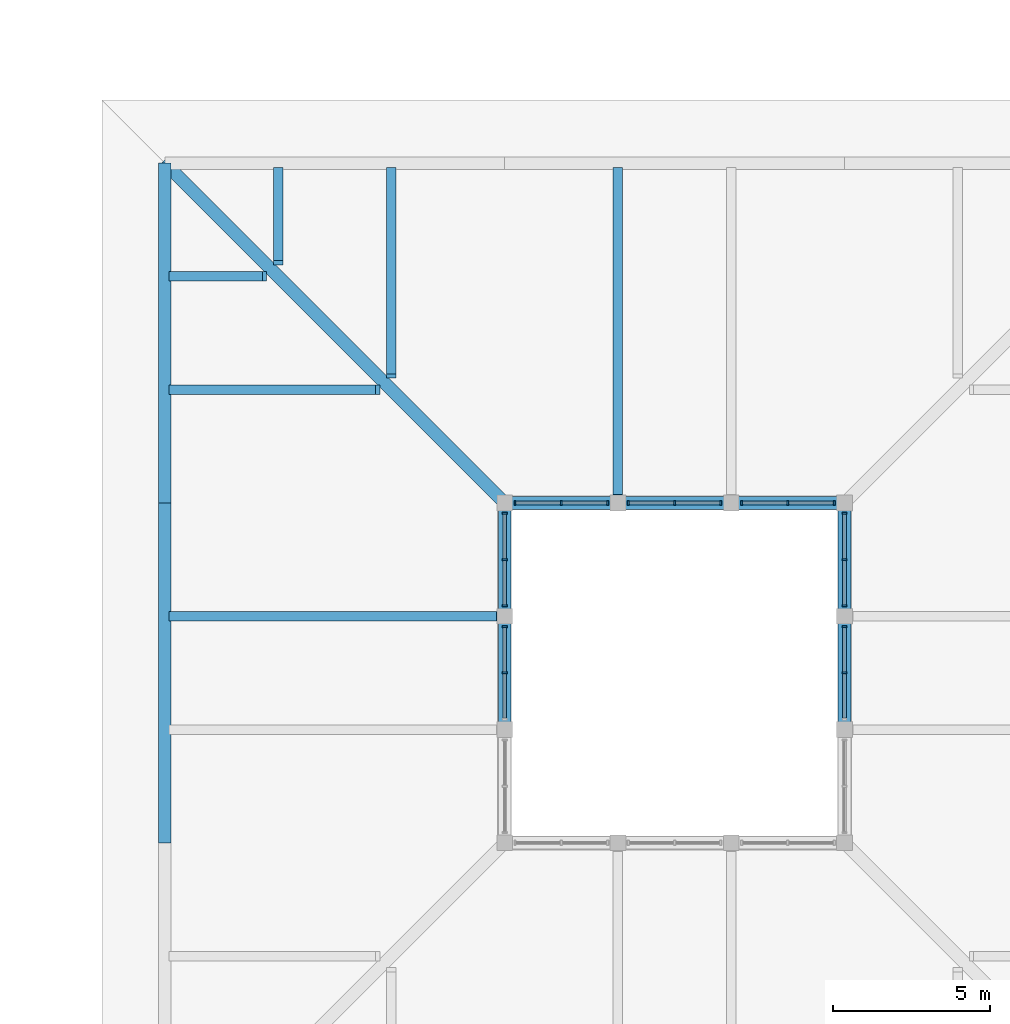
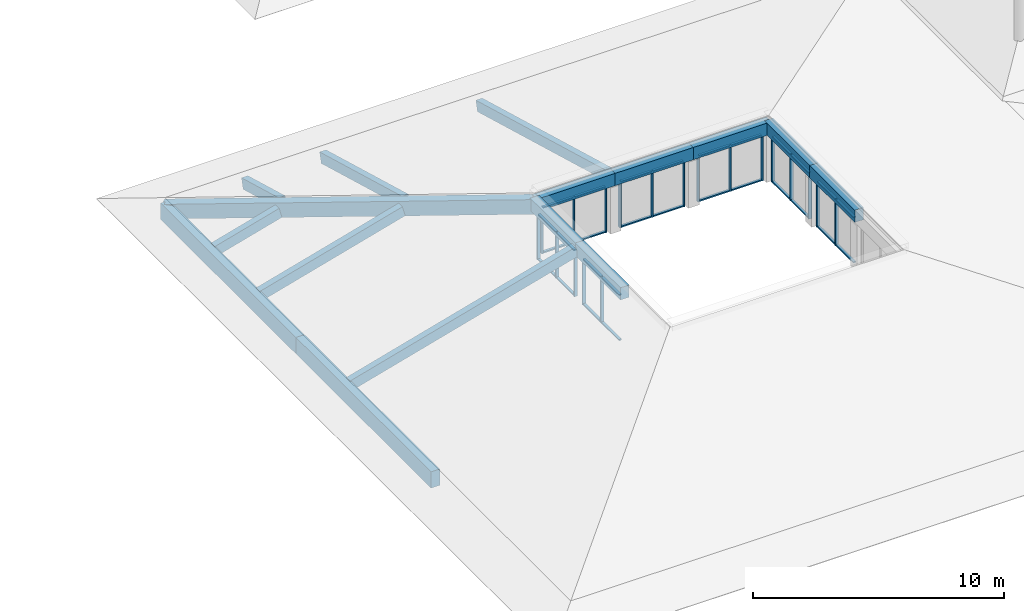
# One storey, part 11 of 95: 47 members, 16 beams, 7 elements without a shape of their own.
"""IFC4 building model written with IfcOpenShell, lengths in metres."""

import ifcopenshell
import ifcopenshell.guid

model = None  # the IFC model being written
_history = None  # IfcOwnerHistory: only IFC2X3 demands one
_inside = {}  # id of a spatial element -> (the spatial element, [elements in it])
_under = {}  # id of a project, library or spatial element -> (it, [spatial elements below it])
_declared = {}  # id of a project -> (the project, [libraries it declares])
_typed = {}  # id of a type object -> (the type object, [elements of that type])
_made_of = {}  # id of a material, layer set ... -> (it, [elements and type objects made of it])


def new_model(schema):
    """Start an empty IFC model of exactly this schema.

    Asked for "IFC4X3", IfcOpenShell would pick the latest addendum, in which some entities
    have other attributes; the version numbers below select the first issue.
    IFC2X3 requires an IfcOwnerHistory on every rooted entity: one is made here for all.
    """
    global model, _history
    if schema == "IFC4X3":
        model = ifcopenshell.file(schema_version=(4, 3, 0, 0))
    else:
        model = ifcopenshell.file(schema=schema)
    _inside.clear()
    _under.clear()
    _declared.clear()
    _typed.clear()
    _made_of.clear()
    _history = None
    if model.schema == "IFC2X3":
        org = make("IfcOrganization", Name="unknown")
        user = make(
            "IfcPersonAndOrganization",
            ThePerson=make("IfcPerson", FamilyName="unknown"),
            TheOrganization=org,
        )
        app = make(
            "IfcApplication",
            ApplicationDeveloper=org,
            Version="unknown",
            ApplicationFullName="unknown",
            ApplicationIdentifier="unknown",
        )
        _history = make(
            "IfcOwnerHistory",
            OwningUser=user,
            OwningApplication=app,
            ChangeAction="ADDED",
            CreationDate=0,
        )
    return model


def make(cls, **values):
    """One entity of the class cls with the attributes given. An attribute that is None is left unset."""
    return model.create_entity(
        cls, **{name: value for name, value in values.items() if value is not None}
    )


def rooted(cls, **values):
    """An entity with a GlobalId (a new one), such as an element, a storey or a relation."""
    return make(cls, GlobalId=ifcopenshell.guid.new(), OwnerHistory=_history, **values)


def si_unit(unit_type, name, prefix=None):
    """IfcSIUnit, for example si_unit("LENGTHUNIT", "METRE", prefix="MILLI")."""
    return make("IfcSIUnit", UnitType=unit_type, Prefix=prefix, Name=name)


def assignment(units):
    """IfcUnitAssignment: the units of a project."""
    return None if units is None else make("IfcUnitAssignment", Units=units)


def point(xyz):
    """IfcCartesianPoint."""
    return None if xyz is None else make("IfcCartesianPoint", Coordinates=xyz)


def direction(xyz):
    """IfcDirection."""
    return None if xyz is None else make("IfcDirection", DirectionRatios=xyz)


def frame(location, z_axis=None, x_axis=None):
    """IfcAxis2Placement3D, a coordinate frame: its origin and axes. An axis left out is left unset."""
    return make(
        "IfcAxis2Placement3D",
        Location=point(location),
        Axis=direction(z_axis),
        RefDirection=direction(x_axis),
    )


def frame_2d(location, x_axis=None):
    """IfcAxis2Placement2D, a coordinate frame in the plane: its origin and x axis."""
    return make(
        "IfcAxis2Placement2D", Location=point(location), RefDirection=direction(x_axis)
    )


def origin():
    """The frame at (0, 0, 0) with its axes left unset."""
    return frame((0.0, 0.0, 0.0))


def origin_2d():
    """The frame at (0, 0) in the plane with its x axis left unset."""
    return frame_2d((0.0, 0.0))


def place(relative_to, where):
    """IfcLocalPlacement: puts the frame where relative to a parent placement (None: the world)."""
    return make(
        "IfcLocalPlacement", PlacementRelTo=relative_to, RelativePlacement=where
    )


def context(
    kind, dimensions, precision=None, world=None, true_north=None, identifier=None
):
    """IfcGeometricRepresentationContext, for example the 3D "Model" context."""
    return make(
        "IfcGeometricRepresentationContext",
        ContextIdentifier=identifier,
        ContextType=kind,
        CoordinateSpaceDimension=dimensions,
        Precision=precision,
        WorldCoordinateSystem=world,
        TrueNorth=true_north,
    )


def subcontext(parent, identifier, kind, view, scale=None):
    """IfcGeometricRepresentationSubContext, for example "Body" below "Model"."""
    return make(
        "IfcGeometricRepresentationSubContext",
        ContextIdentifier=identifier,
        ContextType=kind,
        ParentContext=parent,
        TargetScale=scale,
        TargetView=view,
    )


def project(units=None, contexts=None):
    """IfcProject with its units and contexts."""
    return rooted(
        "IfcProject",
        Name="project",
        RepresentationContexts=contexts,
        UnitsInContext=assignment(units),
    )


def spatial(cls, under=None, at=None, **own):
    """A site, building, storey or space (cls), placed at a placement, below another one or the project."""
    s = rooted(cls, ObjectPlacement=at, **own)
    if under is not None:
        _under.setdefault(under.id(), (under, []))[1].append(s)
    return s


def profile(cls, at=None, kind="AREA", **sizes):
    """A parametric profile (cls). Its sizes go by their IFC names, for example OverallWidth=200.0."""
    return make(cls, ProfileType=kind, Position=at, **sizes)


def rectangle(**sizes):
    """IfcRectangleProfileDef."""
    return profile("IfcRectangleProfileDef", **sizes)


def extrude(swept, where, along, depth):
    """IfcExtrudedAreaSolid: the profile swept, set in the frame where, extruded along a direction by depth."""
    return make(
        "IfcExtrudedAreaSolid",
        SweptArea=swept,
        Position=where,
        ExtrudedDirection=direction(along),
        Depth=depth,
    )


def shape(context_of_items, identifier, shape_type, items):
    """IfcShapeRepresentation: the items that make up one representation, for example the "Body"."""
    return make(
        "IfcShapeRepresentation",
        ContextOfItems=context_of_items,
        RepresentationIdentifier=identifier,
        RepresentationType=shape_type,
        Items=items,
    )


def material(Name=None, Category=None):
    """IfcMaterial."""
    return make("IfcMaterial", Name=Name, Category=Category)


def layer(
    of_material, thickness, ventilated=None, Name=None, Category=None, Priority=None
):
    """IfcMaterialLayer: one layer of a wall or slab, of a material (None: an air gap)."""
    return make(
        "IfcMaterialLayer",
        Material=of_material,
        LayerThickness=thickness,
        IsVentilated=ventilated,
        Name=Name,
        Category=Category,
        Priority=Priority,
    )


def layer_set(layers, Name=None):
    """IfcMaterialLayerSet."""
    return make("IfcMaterialLayerSet", MaterialLayers=layers, LayerSetName=Name)


def material_profile(
    of_material, cross_section, Name=None, Category=None, Priority=None
):
    """IfcMaterialProfile: a cross section and its material."""
    return make(
        "IfcMaterialProfile",
        Name=Name,
        Material=of_material,
        Profile=cross_section,
        Priority=Priority,
        Category=Category,
    )


def profile_set(profiles, Name=None, composite=None):
    """IfcMaterialProfileSet."""
    return make(
        "IfcMaterialProfileSet",
        Name=Name,
        MaterialProfiles=profiles,
        CompositeProfile=composite,
    )


def made_of(thing, what):
    """Note that an element or type object is made of a material, layer set ...; save() writes the relation."""
    if what is not None:
        _made_of.setdefault(what.id(), (what, []))[1].append(thing)
    return thing


def type_object(cls, material=None, **own):
    """A type object (cls), such as IfcWallType, which elements share."""
    return made_of(rooted(cls, **own), material)


def element(
    cls,
    number,
    at=None,
    inside=None,
    cuts=None,
    type_object=None,
    material=None,
    context=None,
    identifier="Body",
    shape_type=None,
    held_by="IfcProductDefinitionShape",
    body=None,
    shapes=None,
    **own,
):
    """One element of the class cls, such as IfcWall. Its Tag is "e" and its number.

    at: its placement. inside: the storey or other place that contains it. cuts: it is an
    opening in that element (IfcRelVoidsElement). A single representation is given by context,
    identifier, shape_type and body (its items); several are given by shapes. held_by: the class
    of the entity that holds the representations. save() writes the other relations.
    """
    e = rooted(cls, Tag="e%d" % number, ObjectPlacement=at, **own)
    if body is not None:
        shapes = [shape(context, identifier, shape_type, body)]
    if shapes is not None:
        e.Representation = make(held_by, Representations=shapes)
    if inside is not None:
        _inside.setdefault(inside.id(), (inside, []))[1].append(e)
    if cuts is not None:
        rooted(
            "IfcRelVoidsElement", RelatingBuildingElement=cuts, RelatedOpeningElement=e
        )
    if type_object is not None:
        _typed.setdefault(type_object.id(), (type_object, []))[1].append(e)
    return made_of(e, material)


def aggregate(whole, parts):
    """IfcRelAggregates: a whole, such as a stair, and the parts it consists of."""
    return rooted("IfcRelAggregates", RelatingObject=whole, RelatedObjects=parts)


def save(model, path):
    """Write the relations noted so far, then the file.

    IfcRelAggregates (storeys below a building ...), IfcRelContainedInSpatialStructure (elements
    in a storey), IfcRelDefinesByType, IfcRelAssociatesMaterial and IfcRelDeclares: one each for
    every whole, place, type object, material and project.
    """
    for whole, parts in _under.values():
        aggregate(whole, parts)
    for where, things in _inside.values():
        rooted(
            "IfcRelContainedInSpatialStructure",
            RelatedElements=things,
            RelatingStructure=where,
        )
    for kind, things in _typed.values():
        rooted("IfcRelDefinesByType", RelatedObjects=things, RelatingType=kind)
    for what, things in _made_of.values():
        rooted("IfcRelAssociatesMaterial", RelatedObjects=things, RelatingMaterial=what)
    for by, libraries in _declared.values():
        rooted("IfcRelDeclares", RelatingContext=by, RelatedDefinitions=libraries)
    model.write(path)


model = new_model("IFC4")

# Units and contexts
model_context = context("Model", 3, precision=1e-05, world=origin(), true_north=direction((0.0, 1.0)))
body_context = subcontext(model_context, "Body", "Model", "MODEL_VIEW")
ifc_project = project(units=[si_unit("LENGTHUNIT", "METRE"), si_unit("AREAUNIT", "SQUARE_METRE"), si_unit("VOLUMEUNIT", "CUBIC_METRE"), si_unit("PLANEANGLEUNIT", "RADIAN"), si_unit("MASSUNIT", "GRAM", prefix="KILO")], contexts=[model_context])

# Site, building, storey
site_placement = place(None, origin())
site = spatial("IfcSite", under=ifc_project, at=site_placement, CompositionType="ELEMENT")
building_placement = place(site_placement, origin())
building = spatial("IfcBuilding", under=site, at=building_placement, Name="Magnolia Steps Interchange", CompositionType="ELEMENT")
storey_placement = place(building_placement, frame((0.0, 0.0, 4.800048828125)))
storey = spatial("IfcBuildingStorey", under=building, at=storey_placement, Name="L01", CompositionType="ELEMENT", Elevation=4.800048828125)

# Curtain wall, members
ifc_material_1 = material(Name="Timber-framed glazing", Category="wood")
ifc_layer = layer(ifc_material_1, 0.10009765625)
ifc_layer_set = layer_set([ifc_layer], Name="Patio clerestory curtain wall")
curtain_wall_type = type_object("IfcCurtainWallType", Name="Patio clerestory curtain wall", PredefinedType="NOTDEFINED", material=ifc_layer_set)
curtain_wall_1_placement = place(storey_placement, origin())
curtain_wall_1 = element("IfcCurtainWall", 1, at=curtain_wall_1_placement, inside=storey, type_object=curtain_wall_type, Name="Patio clerestory glazing E2", PredefinedType="NOTDEFINED")
ifc_material_2 = material(Name="White powder-coated aluminium", Category="aluminium")
ifc_material_profile_1 = material_profile(ifc_material_2, rectangle(XDim=0.06005859375, YDim=0.14990234375, at=origin_2d()), Name="Aluminium mullion 60 x 150")
ifc_profile_set_1 = profile_set([ifc_material_profile_1], Name="White powder-coated aluminium")
member_type_1 = type_object("IfcMemberType", Name="Aluminium mullion 60 x 150", PredefinedType="MULLION", material=ifc_profile_set_1)
member_1_placement = place(storey_placement, frame((31.60009765625, 26.199951171875, 0.0), z_axis=(0.0, 0.0, 1.0), x_axis=(0.0, 1.0, 0.0)))
member_1 = element("IfcMember", 2, at=member_1_placement, type_object=member_type_1, Name="CW4 mullion 2", PredefinedType="MULLION", context=body_context, shape_type="SweptSolid", body=[
    extrude(rectangle(XDim=0.06005859375, YDim=0.14990234375, at=origin_2d()), origin(), (0.0, 0.0, 1.0), 2.25),
])
member_2_placement = place(storey_placement, frame((31.60009765625, 27.669921875, 0.0), z_axis=(0.0, 0.0, 1.0), x_axis=(0.0, 1.0, 0.0)))
member_2 = element("IfcMember", 3, at=member_2_placement, type_object=member_type_1, Name="CW4 mullion 3", PredefinedType="MULLION", context=body_context, shape_type="SweptSolid", body=[
    extrude(rectangle(XDim=0.06005859375, YDim=0.14990234375, at=origin_2d()), origin(), (0.0, 0.0, 1.0), 2.25),
])

curtain_wall_2_placement = place(storey_placement, origin())
curtain_wall_2 = element("IfcCurtainWall", 4, at=curtain_wall_2_placement, inside=storey, type_object=curtain_wall_type, Name="Patio clerestory glazing E3", PredefinedType="NOTDEFINED")
member_3_placement = place(storey_placement, frame((31.60009765625, 28.330078125, 0.0), z_axis=(0.0, 0.0, 1.0), x_axis=(0.0, 1.0, 0.0)))
member_3 = element("IfcMember", 5, at=member_3_placement, type_object=member_type_1, Name="CW4 mullion 1", PredefinedType="MULLION", context=body_context, shape_type="SweptSolid", body=[
    extrude(rectangle(XDim=0.06005859375, YDim=0.14990234375, at=origin_2d()), origin(), (0.0, 0.0, 1.0), 2.25),
])
member_4_placement = place(storey_placement, frame((31.60009765625, 29.800048828125, 0.0), z_axis=(0.0, 0.0, 1.0), x_axis=(0.0, 1.0, 0.0)))
member_4 = element("IfcMember", 6, at=member_4_placement, type_object=member_type_1, Name="CW4 mullion 2", PredefinedType="MULLION", context=body_context, shape_type="SweptSolid", body=[
    extrude(rectangle(XDim=0.06005859375, YDim=0.14990234375, at=origin_2d()), origin(), (0.0, 0.0, 1.0), 2.25),
])
member_5_placement = place(storey_placement, frame((31.60009765625, 31.27001953125, 0.0), z_axis=(0.0, 0.0, 1.0), x_axis=(0.0, 1.0, 0.0)))
member_5 = element("IfcMember", 7, at=member_5_placement, type_object=member_type_1, Name="CW4 mullion 3", PredefinedType="MULLION", context=body_context, shape_type="SweptSolid", body=[
    extrude(rectangle(XDim=0.06005859375, YDim=0.14990234375, at=origin_2d()), origin(), (0.0, 0.0, 1.0), 2.25),
])

curtain_wall_3_placement = place(storey_placement, origin())
curtain_wall_3 = element("IfcCurtainWall", 8, at=curtain_wall_3_placement, inside=storey, type_object=curtain_wall_type, Name="Patio clerestory glazing N1", PredefinedType="NOTDEFINED")
member_6_placement = place(storey_placement, frame((31.27001953125, 31.60009765625, 0.0), z_axis=(0.0, 0.0, 1.0), x_axis=(-1.0, 0.0, 0.0)))
member_6 = element("IfcMember", 9, at=member_6_placement, type_object=member_type_1, Name="CW4 mullion 1", PredefinedType="MULLION", context=body_context, shape_type="SweptSolid", body=[
    extrude(rectangle(XDim=0.06005859375, YDim=0.14990234375, at=origin_2d()), origin(), (0.0, 0.0, 1.0), 2.25),
])
member_7_placement = place(storey_placement, frame((29.800048828125, 31.60009765625, 0.0), z_axis=(0.0, 0.0, 1.0), x_axis=(-1.0, 0.0, 0.0)))
member_7 = element("IfcMember", 10, at=member_7_placement, type_object=member_type_1, Name="CW4 mullion 2", PredefinedType="MULLION", context=body_context, shape_type="SweptSolid", body=[
    extrude(rectangle(XDim=0.06005859375, YDim=0.14990234375, at=origin_2d()), origin(), (0.0, 0.0, 1.0), 2.25),
])
member_8_placement = place(storey_placement, frame((28.330078125, 31.60009765625, 0.0), z_axis=(0.0, 0.0, 1.0), x_axis=(-1.0, 0.0, 0.0)))
member_8 = element("IfcMember", 11, at=member_8_placement, type_object=member_type_1, Name="CW4 mullion 3", PredefinedType="MULLION", context=body_context, shape_type="SweptSolid", body=[
    extrude(rectangle(XDim=0.06005859375, YDim=0.14990234375, at=origin_2d()), origin(), (0.0, 0.0, 1.0), 2.25),
])

curtain_wall_4_placement = place(storey_placement, origin())
curtain_wall_4 = element("IfcCurtainWall", 12, at=curtain_wall_4_placement, inside=storey, type_object=curtain_wall_type, Name="Patio clerestory glazing N2", PredefinedType="NOTDEFINED")
member_9_placement = place(storey_placement, frame((27.669921875, 31.60009765625, 0.0), z_axis=(0.0, 0.0, 1.0), x_axis=(-1.0, 0.0, 0.0)))
member_9 = element("IfcMember", 13, at=member_9_placement, type_object=member_type_1, Name="CW4 mullion 1", PredefinedType="MULLION", context=body_context, shape_type="SweptSolid", body=[
    extrude(rectangle(XDim=0.06005859375, YDim=0.14990234375, at=origin_2d()), origin(), (0.0, 0.0, 1.0), 2.25),
])
member_10_placement = place(storey_placement, frame((26.199951171875, 31.60009765625, 0.0), z_axis=(0.0, 0.0, 1.0), x_axis=(-1.0, 0.0, 0.0)))
member_10 = element("IfcMember", 14, at=member_10_placement, type_object=member_type_1, Name="CW4 mullion 2", PredefinedType="MULLION", context=body_context, shape_type="SweptSolid", body=[
    extrude(rectangle(XDim=0.06005859375, YDim=0.14990234375, at=origin_2d()), origin(), (0.0, 0.0, 1.0), 2.25),
])
member_11_placement = place(storey_placement, frame((24.72998046875, 31.60009765625, 0.0), z_axis=(0.0, 0.0, 1.0), x_axis=(-1.0, 0.0, 0.0)))
member_11 = element("IfcMember", 15, at=member_11_placement, type_object=member_type_1, Name="CW4 mullion 3", PredefinedType="MULLION", context=body_context, shape_type="SweptSolid", body=[
    extrude(rectangle(XDim=0.06005859375, YDim=0.14990234375, at=origin_2d()), origin(), (0.0, 0.0, 1.0), 2.25),
])

curtain_wall_5_placement = place(storey_placement, origin())
curtain_wall_5 = element("IfcCurtainWall", 16, at=curtain_wall_5_placement, inside=storey, type_object=curtain_wall_type, Name="Patio clerestory glazing N3", PredefinedType="NOTDEFINED")
member_12_placement = place(storey_placement, frame((24.070068359375, 31.60009765625, 0.0), z_axis=(0.0, 0.0, 1.0), x_axis=(-1.0, 0.0, 0.0)))
member_12 = element("IfcMember", 17, at=member_12_placement, type_object=member_type_1, Name="CW4 mullion 1", PredefinedType="MULLION", context=body_context, shape_type="SweptSolid", body=[
    extrude(rectangle(XDim=0.06005859375, YDim=0.14990234375, at=origin_2d()), origin(), (0.0, 0.0, 1.0), 2.25),
])
member_13_placement = place(storey_placement, frame((22.60009765625, 31.60009765625, 0.0), z_axis=(0.0, 0.0, 1.0), x_axis=(-1.0, 0.0, 0.0)))
member_13 = element("IfcMember", 18, at=member_13_placement, type_object=member_type_1, Name="CW4 mullion 2", PredefinedType="MULLION", context=body_context, shape_type="SweptSolid", body=[
    extrude(rectangle(XDim=0.06005859375, YDim=0.14990234375, at=origin_2d()), origin(), (0.0, 0.0, 1.0), 2.25),
])
member_14_placement = place(storey_placement, frame((21.1298828125, 31.60009765625, 0.0), z_axis=(0.0, 0.0, 1.0), x_axis=(-1.0, 0.0, 0.0)))
member_14 = element("IfcMember", 19, at=member_14_placement, type_object=member_type_1, Name="CW4 mullion 3", PredefinedType="MULLION", context=body_context, shape_type="SweptSolid", body=[
    extrude(rectangle(XDim=0.06005859375, YDim=0.14990234375, at=origin_2d()), origin(), (0.0, 0.0, 1.0), 2.25),
])

curtain_wall_6_placement = place(storey_placement, origin())
curtain_wall_6 = element("IfcCurtainWall", 20, at=curtain_wall_6_placement, inside=storey, type_object=curtain_wall_type, Name="Patio clerestory glazing W1", PredefinedType="NOTDEFINED")
member_15_placement = place(storey_placement, frame((20.800048828125, 31.27001953125, 0.0), z_axis=(0.0, 0.0, 1.0), x_axis=(0.0, -1.0, 0.0)))
member_15 = element("IfcMember", 21, at=member_15_placement, type_object=member_type_1, Name="CW4 mullion 1", PredefinedType="MULLION", context=body_context, shape_type="SweptSolid", body=[
    extrude(rectangle(XDim=0.06005859375, YDim=0.14990234375, at=origin_2d()), origin(), (0.0, 0.0, 1.0), 2.25),
])
member_16_placement = place(storey_placement, frame((20.800048828125, 29.800048828125, 0.0), z_axis=(0.0, 0.0, 1.0), x_axis=(0.0, -1.0, 0.0)))
member_16 = element("IfcMember", 22, at=member_16_placement, type_object=member_type_1, Name="CW4 mullion 2", PredefinedType="MULLION", context=body_context, shape_type="SweptSolid", body=[
    extrude(rectangle(XDim=0.06005859375, YDim=0.14990234375, at=origin_2d()), origin(), (0.0, 0.0, 1.0), 2.25),
])
member_17_placement = place(storey_placement, frame((20.800048828125, 28.330078125, 0.0), z_axis=(0.0, 0.0, 1.0), x_axis=(0.0, -1.0, 0.0)))
member_17 = element("IfcMember", 23, at=member_17_placement, type_object=member_type_1, Name="CW4 mullion 3", PredefinedType="MULLION", context=body_context, shape_type="SweptSolid", body=[
    extrude(rectangle(XDim=0.06005859375, YDim=0.14990234375, at=origin_2d()), origin(), (0.0, 0.0, 1.0), 2.25),
])

curtain_wall_7_placement = place(storey_placement, origin())
curtain_wall_7 = element("IfcCurtainWall", 24, at=curtain_wall_7_placement, inside=storey, type_object=curtain_wall_type, Name="Patio clerestory glazing W2", PredefinedType="NOTDEFINED")
member_18_placement = place(storey_placement, frame((20.800048828125, 27.669921875, 0.0), z_axis=(0.0, 0.0, 1.0), x_axis=(0.0, -1.0, 0.0)))
member_18 = element("IfcMember", 25, at=member_18_placement, type_object=member_type_1, Name="CW4 mullion 1", PredefinedType="MULLION", context=body_context, shape_type="SweptSolid", body=[
    extrude(rectangle(XDim=0.06005859375, YDim=0.14990234375, at=origin_2d()), origin(), (0.0, 0.0, 1.0), 2.25),
])
member_19_placement = place(storey_placement, frame((20.800048828125, 26.199951171875, 0.0), z_axis=(0.0, 0.0, 1.0), x_axis=(0.0, -1.0, 0.0)))
member_19 = element("IfcMember", 26, at=member_19_placement, type_object=member_type_1, Name="CW4 mullion 2", PredefinedType="MULLION", context=body_context, shape_type="SweptSolid", body=[
    extrude(rectangle(XDim=0.06005859375, YDim=0.14990234375, at=origin_2d()), origin(), (0.0, 0.0, 1.0), 2.25),
])

# Member
ifc_material_3 = material(Name="White powder-coated aluminium", Category="aluminium")
ifc_material_profile_2 = material_profile(ifc_material_3, rectangle(XDim=0.06005859375, YDim=0.1201171875, at=origin_2d()), Name="Aluminium transom 60 x 120")
ifc_profile_set_2 = profile_set([ifc_material_profile_2], Name="White powder-coated aluminium")
member_type_2 = type_object("IfcMemberType", Name="Aluminium transom 60 x 120", PredefinedType="USERDEFINED", material=ifc_profile_set_2)
member_20_placement = place(storey_placement, frame((31.60009765625, 24.760009765625, 0.030029296875), z_axis=(0.0, 1.0, 0.0), x_axis=(0.0, 0.0, 1.0)))
member_20 = element("IfcMember", 27, at=member_20_placement, type_object=member_type_2, Name="CW4 transom 1.1", ObjectType="TRANSOM", PredefinedType="USERDEFINED", context=body_context, shape_type="SweptSolid", body=[
    extrude(rectangle(XDim=0.06005859375, YDim=0.1201171875, at=origin_2d()), origin(), (0.0, 0.0, 1.0), 1.409912109375),
])

member_21_placement = place(storey_placement, frame((31.60009765625, 24.760009765625, 2.219970703125), z_axis=(0.0, 1.0, 0.0), x_axis=(0.0, 0.0, 1.0)))
member_21 = element("IfcMember", 28, at=member_21_placement, type_object=member_type_2, Name="CW4 transom 1.2", ObjectType="TRANSOM", PredefinedType="USERDEFINED", context=body_context, shape_type="SweptSolid", body=[
    extrude(rectangle(XDim=0.06005859375, YDim=0.1201171875, at=origin_2d()), origin(), (0.0, 0.0, 1.0), 1.409912109375),
])

member_22_placement = place(storey_placement, frame((31.60009765625, 26.22998046875, 0.030029296875), z_axis=(0.0, 1.0, 0.0), x_axis=(0.0, 0.0, 1.0)))
member_22 = element("IfcMember", 29, at=member_22_placement, type_object=member_type_2, Name="CW4 transom 2.1", ObjectType="TRANSOM", PredefinedType="USERDEFINED", context=body_context, shape_type="SweptSolid", body=[
    extrude(rectangle(XDim=0.06005859375, YDim=0.1201171875, at=origin_2d()), origin(), (0.0, 0.0, 1.0), 1.409912109375),
])

member_23_placement = place(storey_placement, frame((31.60009765625, 26.22998046875, 2.219970703125), z_axis=(0.0, 1.0, 0.0), x_axis=(0.0, 0.0, 1.0)))
member_23 = element("IfcMember", 30, at=member_23_placement, type_object=member_type_2, Name="CW4 transom 2.2", ObjectType="TRANSOM", PredefinedType="USERDEFINED", context=body_context, shape_type="SweptSolid", body=[
    extrude(rectangle(XDim=0.06005859375, YDim=0.1201171875, at=origin_2d()), origin(), (0.0, 0.0, 1.0), 1.409912109375),
])

aggregate(curtain_wall_1, [member_1, member_2, member_20, member_21, member_22, member_23])

member_24_placement = place(storey_placement, frame((31.60009765625, 28.360107421875, 0.030029296875), z_axis=(0.0, 1.0, 0.0), x_axis=(0.0, 0.0, 1.0)))
member_24 = element("IfcMember", 31, at=member_24_placement, type_object=member_type_2, Name="CW4 transom 1.1", ObjectType="TRANSOM", PredefinedType="USERDEFINED", context=body_context, shape_type="SweptSolid", body=[
    extrude(rectangle(XDim=0.06005859375, YDim=0.1201171875, at=origin_2d()), origin(), (0.0, 0.0, 1.0), 1.409912109375),
])

member_25_placement = place(storey_placement, frame((31.60009765625, 28.360107421875, 2.219970703125), z_axis=(0.0, 1.0, 0.0), x_axis=(0.0, 0.0, 1.0)))
member_25 = element("IfcMember", 32, at=member_25_placement, type_object=member_type_2, Name="CW4 transom 1.2", ObjectType="TRANSOM", PredefinedType="USERDEFINED", context=body_context, shape_type="SweptSolid", body=[
    extrude(rectangle(XDim=0.06005859375, YDim=0.1201171875, at=origin_2d()), origin(), (0.0, 0.0, 1.0), 1.409912109375),
])

member_26_placement = place(storey_placement, frame((31.60009765625, 29.830078125, 0.030029296875), z_axis=(0.0, 1.0, 0.0), x_axis=(0.0, 0.0, 1.0)))
member_26 = element("IfcMember", 33, at=member_26_placement, type_object=member_type_2, Name="CW4 transom 2.1", ObjectType="TRANSOM", PredefinedType="USERDEFINED", context=body_context, shape_type="SweptSolid", body=[
    extrude(rectangle(XDim=0.06005859375, YDim=0.1201171875, at=origin_2d()), origin(), (0.0, 0.0, 1.0), 1.409912109375),
])

member_27_placement = place(storey_placement, frame((31.60009765625, 29.830078125, 2.219970703125), z_axis=(0.0, 1.0, 0.0), x_axis=(0.0, 0.0, 1.0)))
member_27 = element("IfcMember", 34, at=member_27_placement, type_object=member_type_2, Name="CW4 transom 2.2", ObjectType="TRANSOM", PredefinedType="USERDEFINED", context=body_context, shape_type="SweptSolid", body=[
    extrude(rectangle(XDim=0.06005859375, YDim=0.1201171875, at=origin_2d()), origin(), (0.0, 0.0, 1.0), 1.409912109375),
])

aggregate(curtain_wall_2, [member_3, member_4, member_5, member_24, member_25, member_26, member_27])

member_28_placement = place(storey_placement, frame((31.239990234375, 31.60009765625, 0.030029296875), z_axis=(-1.0, 0.0, 0.0), x_axis=(0.0, 0.0, 1.0)))
member_28 = element("IfcMember", 35, at=member_28_placement, type_object=member_type_2, Name="CW4 transom 1.1", ObjectType="TRANSOM", PredefinedType="USERDEFINED", context=body_context, shape_type="SweptSolid", body=[
    extrude(rectangle(XDim=0.06005859375, YDim=0.1201171875, at=origin_2d()), origin(), (0.0, 0.0, 1.0), 1.409912109375),
])

member_29_placement = place(storey_placement, frame((31.239990234375, 31.60009765625, 2.219970703125), z_axis=(-1.0, 0.0, 0.0), x_axis=(0.0, 0.0, 1.0)))
member_29 = element("IfcMember", 36, at=member_29_placement, type_object=member_type_2, Name="CW4 transom 1.2", ObjectType="TRANSOM", PredefinedType="USERDEFINED", context=body_context, shape_type="SweptSolid", body=[
    extrude(rectangle(XDim=0.06005859375, YDim=0.1201171875, at=origin_2d()), origin(), (0.0, 0.0, 1.0), 1.409912109375),
])

member_30_placement = place(storey_placement, frame((29.77001953125, 31.60009765625, 0.030029296875), z_axis=(-1.0, 0.0, 0.0), x_axis=(0.0, 0.0, 1.0)))
member_30 = element("IfcMember", 37, at=member_30_placement, type_object=member_type_2, Name="CW4 transom 2.1", ObjectType="TRANSOM", PredefinedType="USERDEFINED", context=body_context, shape_type="SweptSolid", body=[
    extrude(rectangle(XDim=0.06005859375, YDim=0.1201171875, at=origin_2d()), origin(), (0.0, 0.0, 1.0), 1.409912109375),
])

member_31_placement = place(storey_placement, frame((29.77001953125, 31.60009765625, 2.219970703125), z_axis=(-1.0, 0.0, 0.0), x_axis=(0.0, 0.0, 1.0)))
member_31 = element("IfcMember", 38, at=member_31_placement, type_object=member_type_2, Name="CW4 transom 2.2", ObjectType="TRANSOM", PredefinedType="USERDEFINED", context=body_context, shape_type="SweptSolid", body=[
    extrude(rectangle(XDim=0.06005859375, YDim=0.1201171875, at=origin_2d()), origin(), (0.0, 0.0, 1.0), 1.409912109375),
])

aggregate(curtain_wall_3, [member_6, member_7, member_8, member_28, member_29, member_30, member_31])

member_32_placement = place(storey_placement, frame((27.639892578125, 31.60009765625, 0.030029296875), z_axis=(-1.0, 0.0, 0.0), x_axis=(0.0, 0.0, 1.0)))
member_32 = element("IfcMember", 39, at=member_32_placement, type_object=member_type_2, Name="CW4 transom 1.1", ObjectType="TRANSOM", PredefinedType="USERDEFINED", context=body_context, shape_type="SweptSolid", body=[
    extrude(rectangle(XDim=0.06005859375, YDim=0.1201171875, at=origin_2d()), origin(), (0.0, 0.0, 1.0), 1.409912109375),
])

member_33_placement = place(storey_placement, frame((27.639892578125, 31.60009765625, 2.219970703125), z_axis=(-1.0, 0.0, 0.0), x_axis=(0.0, 0.0, 1.0)))
member_33 = element("IfcMember", 40, at=member_33_placement, type_object=member_type_2, Name="CW4 transom 1.2", ObjectType="TRANSOM", PredefinedType="USERDEFINED", context=body_context, shape_type="SweptSolid", body=[
    extrude(rectangle(XDim=0.06005859375, YDim=0.1201171875, at=origin_2d()), origin(), (0.0, 0.0, 1.0), 1.409912109375),
])

member_34_placement = place(storey_placement, frame((26.169921875, 31.60009765625, 0.030029296875), z_axis=(-1.0, 0.0, 0.0), x_axis=(0.0, 0.0, 1.0)))
member_34 = element("IfcMember", 41, at=member_34_placement, type_object=member_type_2, Name="CW4 transom 2.1", ObjectType="TRANSOM", PredefinedType="USERDEFINED", context=body_context, shape_type="SweptSolid", body=[
    extrude(rectangle(XDim=0.06005859375, YDim=0.1201171875, at=origin_2d()), origin(), (0.0, 0.0, 1.0), 1.409912109375),
])

member_35_placement = place(storey_placement, frame((26.169921875, 31.60009765625, 2.219970703125), z_axis=(-1.0, 0.0, 0.0), x_axis=(0.0, 0.0, 1.0)))
member_35 = element("IfcMember", 42, at=member_35_placement, type_object=member_type_2, Name="CW4 transom 2.2", ObjectType="TRANSOM", PredefinedType="USERDEFINED", context=body_context, shape_type="SweptSolid", body=[
    extrude(rectangle(XDim=0.06005859375, YDim=0.1201171875, at=origin_2d()), origin(), (0.0, 0.0, 1.0), 1.409912109375),
])

aggregate(curtain_wall_4, [member_9, member_10, member_11, member_32, member_33, member_34, member_35])

member_36_placement = place(storey_placement, frame((24.0400390625, 31.60009765625, 0.030029296875), z_axis=(-1.0, 0.0, 0.0), x_axis=(0.0, 0.0, 1.0)))
member_36 = element("IfcMember", 43, at=member_36_placement, type_object=member_type_2, Name="CW4 transom 1.1", ObjectType="TRANSOM", PredefinedType="USERDEFINED", context=body_context, shape_type="SweptSolid", body=[
    extrude(rectangle(XDim=0.06005859375, YDim=0.1201171875, at=origin_2d()), origin(), (0.0, 0.0, 1.0), 1.41015625),
])

member_37_placement = place(storey_placement, frame((24.0400390625, 31.60009765625, 2.219970703125), z_axis=(-1.0, 0.0, 0.0), x_axis=(0.0, 0.0, 1.0)))
member_37 = element("IfcMember", 44, at=member_37_placement, type_object=member_type_2, Name="CW4 transom 1.2", ObjectType="TRANSOM", PredefinedType="USERDEFINED", context=body_context, shape_type="SweptSolid", body=[
    extrude(rectangle(XDim=0.06005859375, YDim=0.1201171875, at=origin_2d()), origin(), (0.0, 0.0, 1.0), 1.41015625),
])

member_38_placement = place(storey_placement, frame((22.570068359375, 31.60009765625, 0.030029296875), z_axis=(-1.0, 0.0, 0.0), x_axis=(0.0, 0.0, 1.0)))
member_38 = element("IfcMember", 45, at=member_38_placement, type_object=member_type_2, Name="CW4 transom 2.1", ObjectType="TRANSOM", PredefinedType="USERDEFINED", context=body_context, shape_type="SweptSolid", body=[
    extrude(rectangle(XDim=0.06005859375, YDim=0.1201171875, at=origin_2d()), origin(), (0.0, 0.0, 1.0), 1.41015625),
])

member_39_placement = place(storey_placement, frame((22.570068359375, 31.60009765625, 2.219970703125), z_axis=(-1.0, 0.0, 0.0), x_axis=(0.0, 0.0, 1.0)))
member_39 = element("IfcMember", 46, at=member_39_placement, type_object=member_type_2, Name="CW4 transom 2.2", ObjectType="TRANSOM", PredefinedType="USERDEFINED", context=body_context, shape_type="SweptSolid", body=[
    extrude(rectangle(XDim=0.06005859375, YDim=0.1201171875, at=origin_2d()), origin(), (0.0, 0.0, 1.0), 1.41015625),
])

aggregate(curtain_wall_5, [member_12, member_13, member_14, member_36, member_37, member_38, member_39])

member_40_placement = place(storey_placement, frame((20.800048828125, 31.239990234375, 0.030029296875), z_axis=(0.0, -1.0, 0.0), x_axis=(0.0, 0.0, 1.0)))
member_40 = element("IfcMember", 47, at=member_40_placement, type_object=member_type_2, Name="CW4 transom 1.1", ObjectType="TRANSOM", PredefinedType="USERDEFINED", context=body_context, shape_type="SweptSolid", body=[
    extrude(rectangle(XDim=0.06005859375, YDim=0.1201171875, at=origin_2d()), origin(), (0.0, 0.0, 1.0), 1.409912109375),
])

member_41_placement = place(storey_placement, frame((20.800048828125, 31.239990234375, 2.219970703125), z_axis=(0.0, -1.0, 0.0), x_axis=(0.0, 0.0, 1.0)))
member_41 = element("IfcMember", 48, at=member_41_placement, type_object=member_type_2, Name="CW4 transom 1.2", ObjectType="TRANSOM", PredefinedType="USERDEFINED", context=body_context, shape_type="SweptSolid", body=[
    extrude(rectangle(XDim=0.06005859375, YDim=0.1201171875, at=origin_2d()), origin(), (0.0, 0.0, 1.0), 1.409912109375),
])

member_42_placement = place(storey_placement, frame((20.800048828125, 29.77001953125, 0.030029296875), z_axis=(0.0, -1.0, 0.0), x_axis=(0.0, 0.0, 1.0)))
member_42 = element("IfcMember", 49, at=member_42_placement, type_object=member_type_2, Name="CW4 transom 2.1", ObjectType="TRANSOM", PredefinedType="USERDEFINED", context=body_context, shape_type="SweptSolid", body=[
    extrude(rectangle(XDim=0.06005859375, YDim=0.1201171875, at=origin_2d()), origin(), (0.0, 0.0, 1.0), 1.409912109375),
])

member_43_placement = place(storey_placement, frame((20.800048828125, 29.77001953125, 2.219970703125), z_axis=(0.0, -1.0, 0.0), x_axis=(0.0, 0.0, 1.0)))
member_43 = element("IfcMember", 50, at=member_43_placement, type_object=member_type_2, Name="CW4 transom 2.2", ObjectType="TRANSOM", PredefinedType="USERDEFINED", context=body_context, shape_type="SweptSolid", body=[
    extrude(rectangle(XDim=0.06005859375, YDim=0.1201171875, at=origin_2d()), origin(), (0.0, 0.0, 1.0), 1.409912109375),
])

aggregate(curtain_wall_6, [member_15, member_16, member_17, member_40, member_41, member_42, member_43])

member_44_placement = place(storey_placement, frame((20.800048828125, 27.639892578125, 0.030029296875), z_axis=(0.0, -1.0, 0.0), x_axis=(0.0, 0.0, 1.0)))
member_44 = element("IfcMember", 51, at=member_44_placement, type_object=member_type_2, Name="CW4 transom 1.1", ObjectType="TRANSOM", PredefinedType="USERDEFINED", context=body_context, shape_type="SweptSolid", body=[
    extrude(rectangle(XDim=0.06005859375, YDim=0.1201171875, at=origin_2d()), origin(), (0.0, 0.0, 1.0), 1.409912109375),
])

member_45_placement = place(storey_placement, frame((20.800048828125, 27.639892578125, 2.219970703125), z_axis=(0.0, -1.0, 0.0), x_axis=(0.0, 0.0, 1.0)))
member_45 = element("IfcMember", 52, at=member_45_placement, type_object=member_type_2, Name="CW4 transom 1.2", ObjectType="TRANSOM", PredefinedType="USERDEFINED", context=body_context, shape_type="SweptSolid", body=[
    extrude(rectangle(XDim=0.06005859375, YDim=0.1201171875, at=origin_2d()), origin(), (0.0, 0.0, 1.0), 1.409912109375),
])

member_46_placement = place(storey_placement, frame((20.800048828125, 26.169921875, 0.030029296875), z_axis=(0.0, -1.0, 0.0), x_axis=(0.0, 0.0, 1.0)))
member_46 = element("IfcMember", 53, at=member_46_placement, type_object=member_type_2, Name="CW4 transom 2.1", ObjectType="TRANSOM", PredefinedType="USERDEFINED", context=body_context, shape_type="SweptSolid", body=[
    extrude(rectangle(XDim=0.06005859375, YDim=0.1201171875, at=origin_2d()), origin(), (0.0, 0.0, 1.0), 1.409912109375),
])

member_47_placement = place(storey_placement, frame((20.800048828125, 26.169921875, 2.219970703125), z_axis=(0.0, -1.0, 0.0), x_axis=(0.0, 0.0, 1.0)))
member_47 = element("IfcMember", 54, at=member_47_placement, type_object=member_type_2, Name="CW4 transom 2.2", ObjectType="TRANSOM", PredefinedType="USERDEFINED", context=body_context, shape_type="SweptSolid", body=[
    extrude(rectangle(XDim=0.06005859375, YDim=0.1201171875, at=origin_2d()), origin(), (0.0, 0.0, 1.0), 1.409912109375),
])

aggregate(curtain_wall_7, [member_18, member_19, member_44, member_45, member_46, member_47])

# Beams
ifc_material_4 = material(Name="Concrete C40", Category="concrete")
ifc_material_profile_3 = material_profile(ifc_material_4, rectangle(XDim=0.39990234375, YDim=0.800048828125, at=origin_2d()), Name="RC400x800")
ifc_profile_set_3 = profile_set([ifc_material_profile_3], Name="Concrete C40")
beam_type_1 = type_object("IfcBeamType", Name="Eaves ring beam 400x800", PredefinedType="BEAM", material=ifc_profile_set_3)
beam_1_placement = place(storey_placement, frame((10.0, 20.800048828125, -0.550048828125), z_axis=(0.0, 1.0, 0.0), x_axis=(-1.0, 0.0, 0.0)))
element("IfcBeam", 55, at=beam_1_placement, inside=storey, type_object=beam_type_1, Name="Eaves ring beam", PredefinedType="BEAM", context=body_context, shape_type="SweptSolid", body=[
    extrude(rectangle(XDim=0.39990234375, YDim=0.800048828125, at=origin_2d()), origin(), (0.0, 0.0, 1.0), 10.800048828125),
])
beam_2_placement = place(storey_placement, frame((10.0, 31.60009765625, -0.550048828125), z_axis=(0.0, 1.0, 0.0), x_axis=(-1.0, 0.0, 0.0)))
element("IfcBeam", 56, at=beam_2_placement, inside=storey, type_object=beam_type_1, Name="Eaves ring beam", PredefinedType="BEAM", context=body_context, shape_type="SweptSolid", body=[
    extrude(rectangle(XDim=0.39990234375, YDim=0.800048828125, at=origin_2d()), origin(), (0.0, 0.0, 1.0), 10.7998046875),
])
ifc_material_5 = material(Name="Concrete C40", Category="concrete")
ifc_material_profile_4 = material_profile(ifc_material_5, rectangle(XDim=0.39990234375, YDim=0.699951171875, at=origin_2d()), Name="RC400x700")
ifc_profile_set_4 = profile_set([ifc_material_profile_4], Name="Concrete C40")
beam_type_2 = type_object("IfcBeamType", Name="Hip beam 400x700", PredefinedType="BEAM", material=ifc_profile_set_4)
beam_3_placement = place(storey_placement, frame((10.0, 42.39990234375, -0.509765625), z_axis=(0.693856677696, -0.693840992711, 0.192737094639), x_axis=(0.707098788796, 0.707114773487, 0.0)))
element("IfcBeam", 57, at=beam_3_placement, inside=storey, type_object=beam_type_2, Name="Hip beam", PredefinedType="BEAM", context=body_context, shape_type="SweptSolid", body=[
    extrude(rectangle(XDim=0.39990234375, YDim=0.699951171875, at=origin_2d()), origin(), (0.0, 0.0, 1.0), 15.565185546875),
])
ifc_material_6 = material(Name="Concrete C40", Category="concrete")
ifc_material_profile_5 = material_profile(ifc_material_6, rectangle(XDim=0.39990234375, YDim=0.60009765625, at=origin_2d()), Name="RC400x600")
ifc_profile_set_5 = profile_set([ifc_material_profile_5], Name="Concrete C40")
beam_type_3 = type_object("IfcBeamType", Name="Ridge ring beam 400x600", PredefinedType="BEAM", material=ifc_profile_set_5)
beam_4_placement = place(storey_placement, frame((20.800048828125, 31.60009765625, 2.550048828125), z_axis=(1.0, 0.0, 0.0), x_axis=(0.0, 1.0, 0.0)))
element("IfcBeam", 58, at=beam_4_placement, inside=storey, type_object=beam_type_3, Name="Ridge ring beam", PredefinedType="BEAM", context=body_context, shape_type="SweptSolid", body=[
    extrude(rectangle(XDim=0.39990234375, YDim=0.60009765625, at=origin_2d()), origin(), (0.0, 0.0, 1.0), 3.599853515625),
])
for number, where, z_axis, x_axis, name in (
    (59, (24.39990234375, 31.60009765625, 2.550048828125), (1.0, 0.0, 0.0), (0.0, 1.0, 0.0), "Ridge ring beam"),
    (60, (28.0, 31.60009765625, 2.550048828125), (1.0, 0.0, 0.0), (0.0, 1.0, 0.0), "Ridge ring beam"),
    (61, (20.800048828125, 24.39990234375, 2.550048828125), (0.0, 1.0, 0.0), (-1.0, 0.0, 0.0), "Ridge ring beam"),
    (62, (31.60009765625, 24.39990234375, 2.550048828125), (0.0, 1.0, 0.0), (-1.0, 0.0, 0.0), "Ridge ring beam"),
    (63, (20.800048828125, 28.0, 2.550048828125), (0.0, 1.0, 0.0), (-1.0, 0.0, 0.0), "Ridge ring beam"),
    (64, (31.60009765625, 28.0, 2.550048828125), (0.0, 1.0, 0.0), (-1.0, 0.0, 0.0), "Ridge ring beam"),
):
    element("IfcBeam", number, at=place(storey_placement, frame(where, z_axis=z_axis, x_axis=x_axis)), inside=storey, type_object=beam_type_3, Name=name, PredefinedType="BEAM", context=body_context, shape_type="SweptSolid", body=[
        extrude(rectangle(XDim=0.39990234375, YDim=0.60009765625, at=origin_2d()), origin(), (0.0, 0.0, 1.0), 3.60009765625),
    ])
ifc_material_7 = material(Name="Concrete C40", Category="concrete")
ifc_material_profile_6 = material_profile(ifc_material_7, rectangle(XDim=0.300048828125, YDim=0.5, at=origin_2d()), Name="RC300x500")
ifc_profile_set_6 = profile_set([ifc_material_profile_6], Name="Concrete C40")
beam_type_4 = type_object("IfcBeamType", Name="Roof rafter 300x500", PredefinedType="BEAM", material=ifc_profile_set_6)
beam_5_placement = place(storey_placement, frame((13.60009765625, 42.199951171875, -0.359619140625), z_axis=(0.0, -0.963514502015, 0.267656130898), x_axis=(1.0, 0.0, 0.0)))
element("IfcBeam", 65, at=beam_5_placement, inside=storey, type_object=beam_type_4, Name="Roof rafter", PredefinedType="BEAM", context=body_context, shape_type="SweptSolid", body=[
    extrude(rectangle(XDim=0.300048828125, YDim=0.5, at=origin_2d()), origin(), (0.0, 0.0, 1.0), 3.079345703125),
])
beam_6_placement = place(storey_placement, frame((17.199951171875, 42.199951171875, -0.359619140625), z_axis=(0.0, -0.96351739645, 0.267645711226), x_axis=(1.0, 0.0, 0.0)))
element("IfcBeam", 66, at=beam_6_placement, inside=storey, type_object=beam_type_4, Name="Roof rafter", PredefinedType="BEAM", context=body_context, shape_type="SweptSolid", body=[
    extrude(rectangle(XDim=0.300048828125, YDim=0.5, at=origin_2d()), origin(), (0.0, 0.0, 1.0), 6.81591796875),
])
beam_7_placement = place(storey_placement, frame((24.39990234375, 42.199951171875, -0.359619140625), z_axis=(0.0, -0.963516613411, 0.26764853013), x_axis=(1.0, 0.0, 0.0)))
element("IfcBeam", 67, at=beam_7_placement, inside=storey, type_object=beam_type_4, Name="Roof rafter", PredefinedType="BEAM", context=body_context, shape_type="SweptSolid", body=[
    extrude(rectangle(XDim=0.300048828125, YDim=0.5, at=origin_2d()), origin(), (0.0, 0.0, 1.0), 10.793701171875),
])
beam_8_placement = place(storey_placement, frame((10.199951171875, 28.0, -0.359619140625), z_axis=(0.963518233674, 0.0, 0.267642697224), x_axis=(0.0, 1.0, 0.0)))
element("IfcBeam", 68, at=beam_8_placement, inside=storey, type_object=beam_type_4, Name="Roof rafter", PredefinedType="BEAM", context=body_context, shape_type="SweptSolid", body=[
    extrude(rectangle(XDim=0.300048828125, YDim=0.5, at=origin_2d()), origin(), (0.0, 0.0, 1.0), 10.7939453125),
])
beam_9_placement = place(storey_placement, frame((10.199951171875, 35.199951171875, -0.359619140625), z_axis=(0.96351739645, 0.0, 0.267645711226), x_axis=(0.0, 1.0, 0.0)))
element("IfcBeam", 69, at=beam_9_placement, inside=storey, type_object=beam_type_4, Name="Roof rafter", PredefinedType="BEAM", context=body_context, shape_type="SweptSolid", body=[
    extrude(rectangle(XDim=0.300048828125, YDim=0.5, at=origin_2d()), origin(), (0.0, 0.0, 1.0), 6.81591796875),
])
beam_10_placement = place(storey_placement, frame((10.199951171875, 38.800048828125, -0.359619140625), z_axis=(0.963520181113, 0.0, 0.267635686312), x_axis=(0.0, 1.0, 0.0)))
element("IfcBeam", 70, at=beam_10_placement, inside=storey, type_object=beam_type_4, Name="Roof rafter", PredefinedType="BEAM", context=body_context, shape_type="SweptSolid", body=[
    extrude(rectangle(XDim=0.300048828125, YDim=0.5, at=origin_2d()), origin(), (0.0, 0.0, 1.0), 3.07958984375),
])

save(model, "model.ifc")
